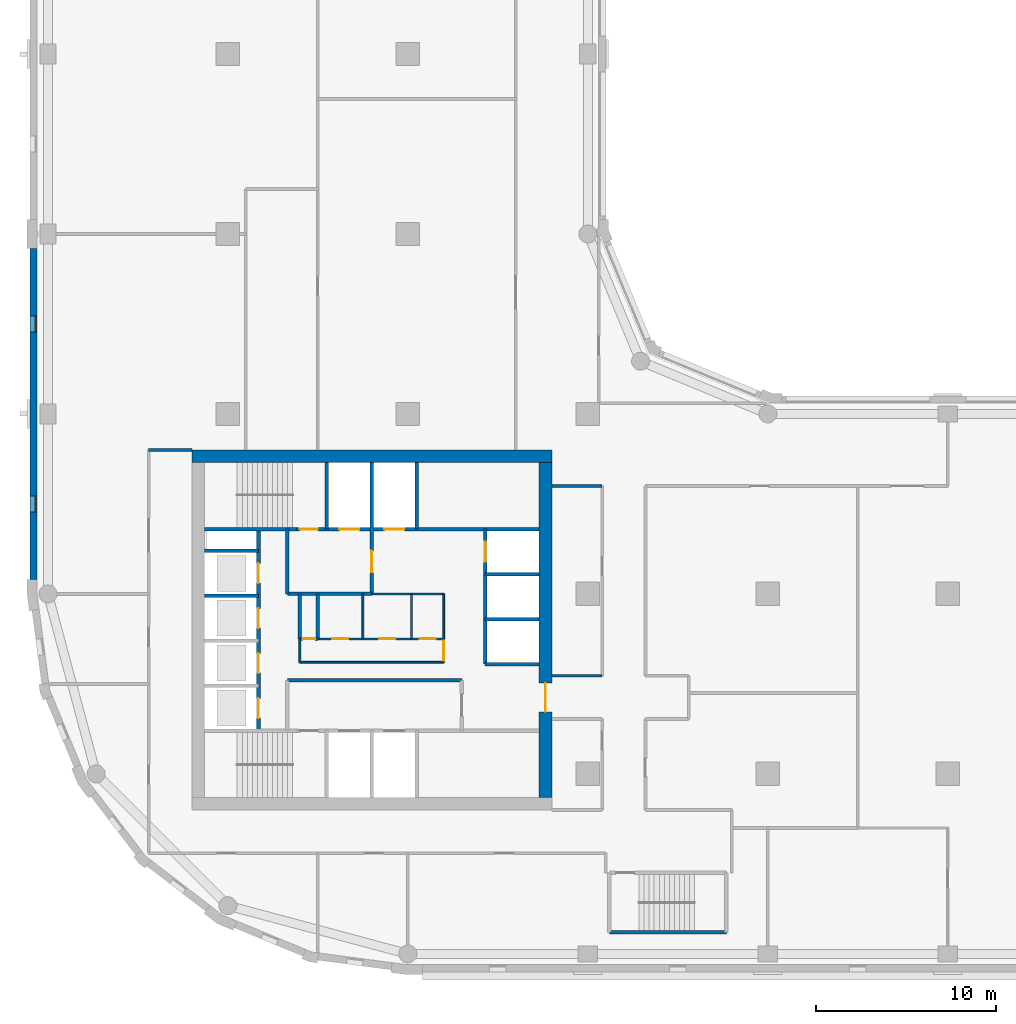
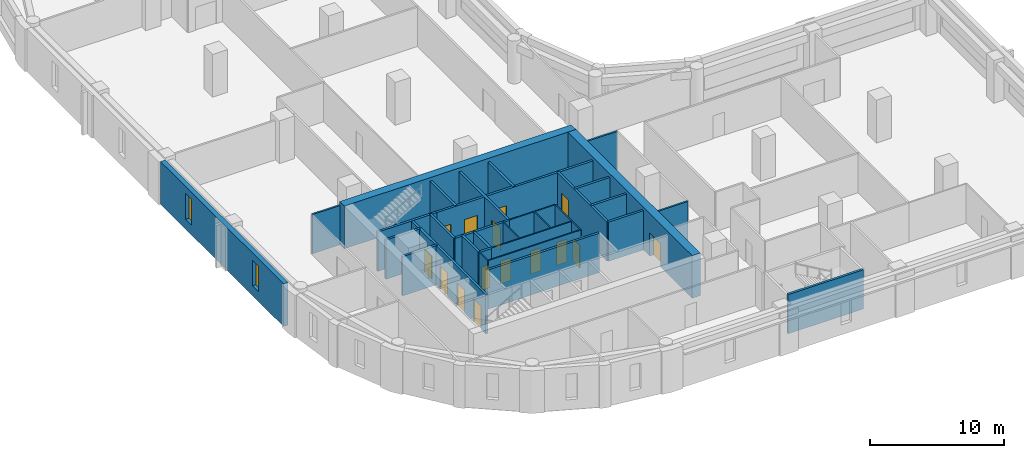
# One storey, part 3 of 9: 32 walls, 15 doors, 2 windows, 17 openings.
"""IFC4 building model written with IfcOpenShell, lengths in metres."""

from ifc_helpers import new_model, si_unit, direction, frame, frame_2d, origin, place, context, subcontext, project, spatial, rectangle, extrude, material, layer, layer_set, type_object, element, fill, save


model = new_model("IFC4")

# Units and contexts
model_context = context("Model", 3, precision=1e-05, world=origin(), true_north=direction((0.0, 1.0)))
body_context = subcontext(model_context, "Body", "Model", "MODEL_VIEW")
ifc_project = project(units=[si_unit("LENGTHUNIT", "METRE"), si_unit("AREAUNIT", "SQUARE_METRE"), si_unit("VOLUMEUNIT", "CUBIC_METRE"), si_unit("PLANEANGLEUNIT", "RADIAN"), si_unit("MASSUNIT", "GRAM", prefix="KILO")], contexts=[model_context])

# Site, building, storey
site_placement = place(None, origin())
site = spatial("IfcSite", under=ifc_project, at=site_placement, CompositionType="ELEMENT")
building_placement = place(site_placement, origin())
building = spatial("IfcBuilding", under=site, at=building_placement, Name="Qaws Garden Tower", CompositionType="ELEMENT")
storey_placement = place(building_placement, frame((0.0, 0.0, 139.5)))
storey = spatial("IfcBuildingStorey", under=building, at=storey_placement, Name="L33", CompositionType="ELEMENT", Elevation=139.5)

# Wall, openings, windows
ifc_material_1 = material(Name="Clay facing brick masonry", Category="masonry")
ifc_layer_1 = layer(ifc_material_1, 0.39990234375)
ifc_layer_set_1 = layer_set([ifc_layer_1], Name="Clay facing brick masonry")
wall_type_1 = type_object("IfcWallType", Name="Brick infill wall 400", PredefinedType="SOLIDWALL", material=ifc_layer_set_1)
wall_1_placement = place(storey_placement, frame((-0.800048828125, 39.199951171875, 0.0), z_axis=(0.0, 0.0, 1.0), x_axis=(0.0, -1.0, 0.0)))
wall_1 = element("IfcWall", 1, at=wall_1_placement, inside=storey, type_object=wall_type_1, Name="E-L33-infill-23", PredefinedType="SOLIDWALL", context=body_context, shape_type="SweptSolid", body=[
    extrude(rectangle(XDim=18.39990234375, YDim=0.39990234375, at=frame_2d((9.199951171875, 0.0))), origin(), (0.0, 0.0, 1.0), 3.89990234375),
])
opening_1_placement = place(wall_1_placement, frame((3.75, 0.0, 0.89990234375)))
opening_1 = element("IfcOpeningElement", 2, at=opening_1_placement, cuts=wall_1, Name="Opening W09", PredefinedType="OPENING", context=body_context, shape_type="SweptSolid", body=[
    extrude(rectangle(XDim=0.89990234375, YDim=2.35009765625, at=frame_2d((0.449951171875, 1.175048828125))), frame((0.0, 0.2099609375, 0.0), z_axis=(0.0, -1.0, 0.0), x_axis=(1.0, 0.0, 0.0)), (0.0, 0.0, 1.0), 0.419921875),
])
opening_2_placement = place(wall_1_placement, frame((13.75, 0.0, 0.89990234375)))
opening_2 = element("IfcOpeningElement", 3, at=opening_2_placement, cuts=wall_1, Name="Opening W09", PredefinedType="OPENING", context=body_context, shape_type="SweptSolid", body=[
    extrude(rectangle(XDim=0.89990234375, YDim=2.35009765625, at=frame_2d((0.449951171875, 1.175048828125))), frame((0.0, 0.2099609375, 0.0), z_axis=(0.0, -1.0, 0.0), x_axis=(1.0, 0.0, 0.0)), (0.0, 0.0, 1.0), 0.419921875),
])
ifc_material_2 = material(Name="Aluminium framed window, clear glazing", Category="aluminium")
window_type = type_object("IfcWindowType", Name="Slit window 900 x 2350", PartitioningType="SINGLE_PANEL", PredefinedType="WINDOW", material=ifc_material_2)
window_1_placement = place(opening_1_placement, origin())
window_1 = element("IfcWindow", 4, at=window_1_placement, inside=storey, type_object=window_type, Name="E-L33-window-23-0", OverallHeight=2.35009765625, OverallWidth=0.89990234375, PartitioningType="SINGLE_PANEL", PredefinedType="WINDOW", context=body_context, shape_type="SweptSolid", body=[
    extrude(rectangle(XDim=0.89990234375, YDim=2.35009765625, at=frame_2d((0.449951171875, 1.175048828125))), frame((0.0, 0.159912109375, 0.0), z_axis=(0.0, -1.0, 0.0), x_axis=(1.0, 0.0, 0.0)), (0.0, 0.0, 1.0), 0.06005859375),
])
fill(opening_1, window_1)
window_2_placement = place(opening_2_placement, origin())
window_2 = element("IfcWindow", 5, at=window_2_placement, inside=storey, type_object=window_type, Name="E-L33-window-24-0", OverallHeight=2.35009765625, OverallWidth=0.89990234375, PartitioningType="SINGLE_PANEL", PredefinedType="WINDOW", context=body_context, shape_type="SweptSolid", body=[
    extrude(rectangle(XDim=0.89990234375, YDim=2.35009765625, at=frame_2d((0.449951171875, 1.175048828125))), frame((0.0, 0.159912109375, 0.0), z_axis=(0.0, -1.0, 0.0), x_axis=(1.0, 0.0, 0.0)), (0.0, 0.0, 1.0), 0.06005859375),
])
fill(opening_2, window_2)

# Wall
ifc_material_3 = material(Name="Plasterboard")
ifc_layer_2 = layer(ifc_material_3, 0.10009765625)
ifc_layer_set_2 = layer_set([ifc_layer_2], Name="Plasterboard")
wall_type_2 = type_object("IfcWallType", Name="Core partition 100", PredefinedType="PARTITIONING", material=ifc_layer_set_2)
wall_2_placement = place(storey_placement, frame((14.0, 16.199951171875, 0.0), z_axis=(0.0, 0.0, 1.0), x_axis=(1.0, 0.0, 0.0)))
element("IfcWall", 6, at=wall_2_placement, inside=storey, type_object=wall_type_2, Name="Core partition", PredefinedType="PARTITIONING", context=body_context, shape_type="SweptSolid", body=[
    extrude(rectangle(XDim=8.0, YDim=0.10009765625, at=frame_2d((4.0, 0.0))), origin(), (0.0, 0.0, 1.0), 3.580078125),
])

# Wall, openings, doors
wall_3_placement = place(storey_placement, frame((15.0, 17.5, 0.0), z_axis=(0.0, 0.0, 1.0), x_axis=(1.0, 0.0, 0.0)))
wall_3 = element("IfcWall", 7, at=wall_3_placement, inside=storey, type_object=wall_type_2, Name="Core partition", PredefinedType="PARTITIONING", context=body_context, shape_type="SweptSolid", body=[
    extrude(rectangle(XDim=7.0, YDim=0.10009765625, at=frame_2d((3.5, 0.0))), origin(), (0.0, 0.0, 1.0), 3.580078125),
])
opening_3_placement = place(wall_3_placement, frame((0.800048828125, 0.0, 0.0)))
opening_3 = element("IfcOpeningElement", 8, at=opening_3_placement, cuts=wall_3, Name="Opening WD19", PredefinedType="OPENING", context=body_context, shape_type="SweptSolid", body=[
    extrude(rectangle(XDim=0.89990234375, YDim=2.10009765625, at=frame_2d((0.449951171875, 1.050048828125))), frame((0.0, 0.06005859375, 0.0), z_axis=(0.0, -1.0, 0.0), x_axis=(1.0, 0.0, 0.0)), (0.0, 0.0, 1.0), 0.1201171875),
])
opening_4_placement = place(wall_3_placement, frame((3.39990234375, 0.0, 0.0)))
opening_4 = element("IfcOpeningElement", 9, at=opening_4_placement, cuts=wall_3, Name="Opening WD20", PredefinedType="OPENING", context=body_context, shape_type="SweptSolid", body=[
    extrude(rectangle(XDim=0.89990234375, YDim=2.10009765625, at=frame_2d((0.449951171875, 1.050048828125))), frame((0.0, 0.06005859375, 0.0), z_axis=(0.0, -1.0, 0.0), x_axis=(1.0, 0.0, 0.0)), (0.0, 0.0, 1.0), 0.1201171875),
])
opening_5_placement = place(wall_3_placement, frame((5.64990234375, 0.0, 0.0)))
opening_5 = element("IfcOpeningElement", 10, at=opening_5_placement, cuts=wall_3, Name="Opening WD21", PredefinedType="OPENING", context=body_context, shape_type="SweptSolid", body=[
    extrude(rectangle(XDim=0.89990234375, YDim=2.10009765625, at=frame_2d((0.449951171875, 1.050048828125))), frame((0.0, 0.06005859375, 0.0), z_axis=(0.0, -1.0, 0.0), x_axis=(1.0, 0.0, 0.0)), (0.0, 0.0, 1.0), 0.1201171875),
])
ifc_material_4 = material(Name="Timber", Category="wood")
door_type_1 = type_object("IfcDoorType", Name="WC door 900x2100", OperationType="SINGLE_SWING_LEFT", PredefinedType="DOOR", material=ifc_material_4)
door_1_placement = place(opening_3_placement, origin())
door_1 = element("IfcDoor", 11, at=door_1_placement, inside=storey, type_object=door_type_1, Name="Men's WC door", OperationType="SINGLE_SWING_RIGHT", OverallHeight=2.10009765625, OverallWidth=0.89990234375, PredefinedType="DOOR", context=body_context, shape_type="SweptSolid", body=[
    extrude(rectangle(XDim=0.89990234375, YDim=2.10009765625, at=frame_2d((0.449951171875, 1.050048828125))), frame((0.0, 0.02490234375, 0.0), z_axis=(0.0, -1.0, 0.0), x_axis=(1.0, 0.0, 0.0)), (0.0, 0.0, 1.0), 0.050048828125),
])
fill(opening_3, door_1)
door_2_placement = place(opening_4_placement, origin())
door_2 = element("IfcDoor", 12, at=door_2_placement, inside=storey, type_object=door_type_1, Name="Women's WC door", OperationType="SINGLE_SWING_RIGHT", OverallHeight=2.10009765625, OverallWidth=0.89990234375, PredefinedType="DOOR", context=body_context, shape_type="SweptSolid", body=[
    extrude(rectangle(XDim=0.89990234375, YDim=2.10009765625, at=frame_2d((0.449951171875, 1.050048828125))), frame((0.0, 0.02490234375, 0.0), z_axis=(0.0, -1.0, 0.0), x_axis=(1.0, 0.0, 0.0)), (0.0, 0.0, 1.0), 0.050048828125),
])
fill(opening_4, door_2)
door_3_placement = place(opening_5_placement, origin())
door_3 = element("IfcDoor", 13, at=door_3_placement, inside=storey, type_object=door_type_1, Name="Accessible WC door", OperationType="SINGLE_SWING_RIGHT", OverallHeight=2.10009765625, OverallWidth=0.89990234375, PredefinedType="DOOR", context=body_context, shape_type="SweptSolid", body=[
    extrude(rectangle(XDim=0.89990234375, YDim=2.10009765625, at=frame_2d((0.449951171875, 1.050048828125))), frame((0.0, 0.02490234375, 0.0), z_axis=(0.0, -1.0, 0.0), x_axis=(1.0, 0.0, 0.0)), (0.0, 0.0, 1.0), 0.050048828125),
])
fill(opening_5, door_3)

# Walls
wall_4_placement = place(storey_placement, frame((18.0, 20.0, 0.0), z_axis=(0.0, 0.0, 1.0), x_axis=(1.0, 0.0, 0.0)))
element("IfcWall", 14, at=wall_4_placement, inside=storey, type_object=wall_type_2, Name="Core partition", PredefinedType="PARTITIONING", context=body_context, shape_type="SweptSolid", body=[
    extrude(rectangle(XDim=4.0, YDim=0.10009765625, at=frame_2d((2.0, 0.0))), origin(), (0.0, 0.0, 1.0), 3.580078125),
])
wall_5_placement = place(storey_placement, frame((14.0, 16.199951171875, 0.0), z_axis=(0.0, 0.0, 1.0), x_axis=(0.0, 1.0, 0.0)))
element("IfcWall", 15, at=wall_5_placement, inside=storey, type_object=wall_type_2, Name="Core partition", PredefinedType="PARTITIONING", context=body_context, shape_type="SweptSolid", body=[
    extrude(rectangle(XDim=1.300048828125, YDim=0.10009765625, at=frame_2d((0.64990234375, 0.0))), origin(), (0.0, 0.0, 1.0), 3.580078125),
])
for number, where, z_axis, x_axis, name in (
    (16, (17.5, 17.5, 0.0), (0.0, 0.0, 1.0), (0.0, 1.0, 0.0), "Core partition"),
    (17, (20.199951171875, 17.5, 0.0), (0.0, 0.0, 1.0), (0.0, 1.0, 0.0), "Core partition"),
):
    element("IfcWall", number, at=place(storey_placement, frame(where, z_axis=z_axis, x_axis=x_axis)), inside=storey, type_object=wall_type_2, Name=name, PredefinedType="PARTITIONING", context=body_context, shape_type="SweptSolid", body=[
        extrude(rectangle(XDim=2.5, YDim=0.10009765625, at=frame_2d((1.25, 0.0))), origin(), (0.0, 0.0, 1.0), 3.580078125),
    ])

# Wall, opening, door
wall_6_placement = place(storey_placement, frame((22.0, 16.199951171875, 0.0), z_axis=(0.0, 0.0, 1.0), x_axis=(0.0, 1.0, 0.0)))
wall_6 = element("IfcWall", 18, at=wall_6_placement, inside=storey, type_object=wall_type_2, Name="Core partition", PredefinedType="PARTITIONING", context=body_context, shape_type="SweptSolid", body=[
    extrude(rectangle(XDim=3.800048828125, YDim=0.10009765625, at=frame_2d((1.89990234375, 0.0))), origin(), (0.0, 0.0, 1.0), 3.580078125),
])
opening_6_placement = place(wall_6_placement, frame((0.10009765625, 0.0, 0.0)))
opening_6 = element("IfcOpeningElement", 19, at=opening_6_placement, cuts=wall_6, Name="Opening WL17", PredefinedType="OPENING", context=body_context, shape_type="SweptSolid", body=[
    extrude(rectangle(XDim=1.10009765625, YDim=2.10009765625, at=frame_2d((0.550048828125, 1.050048828125))), frame((0.0, 0.06005859375, 0.0), z_axis=(0.0, -1.0, 0.0), x_axis=(1.0, 0.0, 0.0)), (0.0, 0.0, 1.0), 0.1201171875),
])
ifc_material_5 = material(Name="Timber", Category="wood")
door_type_2 = type_object("IfcDoorType", Name="WC lobby door 1100x2100", OperationType="SINGLE_SWING_LEFT", PredefinedType="DOOR", material=ifc_material_5)
door_4_placement = place(opening_6_placement, origin())
door_4 = element("IfcDoor", 20, at=door_4_placement, inside=storey, type_object=door_type_2, Name="WC lobby door", OperationType="SINGLE_SWING_RIGHT", OverallHeight=2.10009765625, OverallWidth=1.10009765625, PredefinedType="DOOR", context=body_context, shape_type="SweptSolid", body=[
    extrude(rectangle(XDim=1.10009765625, YDim=2.10009765625, at=frame_2d((0.550048828125, 1.050048828125))), frame((0.0, 0.02490234375, 0.0), z_axis=(0.0, -1.0, 0.0), x_axis=(1.0, 0.0, 0.0)), (0.0, 0.0, 1.0), 0.050048828125),
])
fill(opening_6, door_4)

# Walls
ifc_material_6 = material(Name="Concrete C70", Category="concrete")
ifc_layer_3 = layer(ifc_material_6, 0.199951171875)
ifc_layer_set_3 = layer_set([ifc_layer_3], Name="Concrete C70")
wall_type_3 = type_object("IfcWallType", Name="Core shaft wall 200 C70", PredefinedType="SHEAR", material=ifc_layer_set_3)
wall_7_placement = place(storey_placement, frame((31.199951171875, 1.199951171875, 0.0), z_axis=(0.0, 0.0, 1.0), x_axis=(1.0, 0.0, 0.0)))
element("IfcWall", 21, at=wall_7_placement, inside=storey, type_object=wall_type_3, Name="Shaft wall", PredefinedType="SHEAR", context=body_context, shape_type="SweptSolid", body=[
    extrude(rectangle(XDim=6.5, YDim=0.199951171875, at=frame_2d((3.25, 0.0))), origin(), (0.0, 0.0, 1.0), 3.580078125),
])
wall_8_placement = place(storey_placement, frame((13.300048828125, 15.199951171875, 0.0), z_axis=(0.0, 0.0, 1.0), x_axis=(1.0, 0.0, 0.0)))
element("IfcWall", 22, at=wall_8_placement, inside=storey, type_object=wall_type_3, Name="Shaft wall", PredefinedType="SHEAR", context=body_context, shape_type="SweptSolid", body=[
    extrude(rectangle(XDim=9.699951171875, YDim=0.199951171875, at=frame_2d((4.85009765625, 0.0))), origin(), (0.0, 0.0, 1.0), 3.580078125),
])
wall_9_placement = place(storey_placement, frame((24.300048828125, 16.10009765625, 0.0), z_axis=(0.0, 0.0, 1.0), x_axis=(1.0, 0.0, 0.0)))
element("IfcWall", 23, at=wall_9_placement, inside=storey, type_object=wall_type_3, Name="Shaft wall", PredefinedType="SHEAR", context=body_context, shape_type="SweptSolid", body=[
    extrude(rectangle(XDim=3.0, YDim=0.199951171875, at=frame_2d((1.5, 0.0))), origin(), (0.0, 0.0, 1.0), 3.580078125),
])

# Wall, opening, door
wall_10_placement = place(storey_placement, frame((14.0, 17.5, 0.0), z_axis=(0.0, 0.0, 1.0), x_axis=(1.0, 0.0, 0.0)))
wall_10 = element("IfcWall", 24, at=wall_10_placement, inside=storey, type_object=wall_type_3, Name="Shaft wall", PredefinedType="SHEAR", context=body_context, shape_type="SweptSolid", body=[
    extrude(rectangle(XDim=1.0, YDim=0.199951171875, at=frame_2d((0.5, 0.0))), origin(), (0.0, 0.0, 1.0), 3.580078125),
])
opening_7_placement = place(wall_10_placement, frame((0.14990234375, 0.0, 0.0)))
opening_7 = element("IfcOpeningElement", 25, at=opening_7_placement, cuts=wall_10, Name="Opening XD18", PredefinedType="OPENING", context=body_context, shape_type="SweptSolid", body=[
    extrude(rectangle(XDim=0.699951171875, YDim=2.10009765625, at=frame_2d((0.35009765625, 1.050048828125))), frame((0.0, 0.10986328125, 0.0), z_axis=(0.0, -1.0, 0.0), x_axis=(1.0, 0.0, 0.0)), (0.0, 0.0, 1.0), 0.219970703125),
])
ifc_material_7 = material(Name="Timber", Category="wood")
door_type_3 = type_object("IfcDoorType", Name="Store door 700x2100", OperationType="SINGLE_SWING_LEFT", PredefinedType="DOOR", material=ifc_material_7)
door_5_placement = place(opening_7_placement, origin())
door_5 = element("IfcDoor", 26, at=door_5_placement, inside=storey, type_object=door_type_3, Name="Telecom riser door", OperationType="SINGLE_SWING_RIGHT", OverallHeight=2.10009765625, OverallWidth=0.699951171875, PredefinedType="DOOR", context=body_context, shape_type="SweptSolid", body=[
    extrude(rectangle(XDim=0.699951171875, YDim=2.10009765625, at=frame_2d((0.35009765625, 1.050048828125))), frame((0.0, 0.02490234375, 0.0), z_axis=(0.0, -1.0, 0.0), x_axis=(1.0, 0.0, 0.0)), (0.0, 0.0, 1.0), 0.050048828125),
])
fill(opening_7, door_5)

# Walls
for number, where, z_axis, x_axis, name in (
    (27, (24.300048828125, 18.60009765625, 0.0), (0.0, 0.0, 1.0), (1.0, 0.0, 0.0), "Shaft wall"),
    (28, (8.699951171875, 19.89990234375, 0.0), (0.0, 0.0, 1.0), (1.0, 0.0, 0.0), "Shaft wall"),
):
    element("IfcWall", number, at=place(storey_placement, frame(where, z_axis=z_axis, x_axis=x_axis)), inside=storey, type_object=wall_type_3, Name=name, PredefinedType="SHEAR", context=body_context, shape_type="SweptSolid", body=[
        extrude(rectangle(XDim=3.0, YDim=0.199951171875, at=frame_2d((1.5, 0.0))), origin(), (0.0, 0.0, 1.0), 3.580078125),
    ])
wall_11_placement = place(storey_placement, frame((13.300048828125, 20.0, 0.0), z_axis=(0.0, 0.0, 1.0), x_axis=(1.0, 0.0, 0.0)))
element("IfcWall", 29, at=wall_11_placement, inside=storey, type_object=wall_type_3, Name="Shaft wall", PredefinedType="SHEAR", context=body_context, shape_type="SweptSolid", body=[
    extrude(rectangle(XDim=4.699951171875, YDim=0.199951171875, at=frame_2d((2.35009765625, 0.0))), origin(), (0.0, 0.0, 1.0), 3.580078125),
])
for number, where, z_axis, x_axis, name in (
    (30, (24.300048828125, 21.10009765625, 0.0), (0.0, 0.0, 1.0), (1.0, 0.0, 0.0), "Shaft wall"),
    (31, (8.699951171875, 22.39990234375, 0.0), (0.0, 0.0, 1.0), (1.0, 0.0, 0.0), "Shaft wall"),
):
    element("IfcWall", number, at=place(storey_placement, frame(where, z_axis=z_axis, x_axis=x_axis)), inside=storey, type_object=wall_type_3, Name=name, PredefinedType="SHEAR", context=body_context, shape_type="SweptSolid", body=[
        extrude(rectangle(XDim=3.0, YDim=0.199951171875, at=frame_2d((1.5, 0.0))), origin(), (0.0, 0.0, 1.0), 3.580078125),
    ])
wall_12_placement = place(storey_placement, frame((8.699951171875, 23.60009765625, 0.0), z_axis=(0.0, 0.0, 1.0), x_axis=(1.0, 0.0, 0.0)))
element("IfcWall", 32, at=wall_12_placement, inside=storey, type_object=wall_type_3, Name="Shaft wall", PredefinedType="SHEAR", context=body_context, shape_type="SweptSolid", body=[
    extrude(rectangle(XDim=5.10009765625, YDim=0.199951171875, at=frame_2d((2.550048828125, 0.0))), origin(), (0.0, 0.0, 1.0), 3.580078125),
])

# Wall, openings, doors
wall_13_placement = place(storey_placement, frame((13.800048828125, 23.60009765625, 0.0), z_axis=(0.0, 0.0, 1.0), x_axis=(1.0, 0.0, 0.0)))
wall_13 = element("IfcWall", 33, at=wall_13_placement, inside=storey, type_object=wall_type_3, Name="Shaft wall", PredefinedType="SHEAR", context=body_context, shape_type="SweptSolid", body=[
    extrude(rectangle(XDim=13.5, YDim=0.199951171875, at=frame_2d((6.75, 0.0))), origin(), (0.0, 0.0, 1.0), 3.580078125),
])
opening_8_placement = place(wall_13_placement, frame((2.39990234375, 0.0, 0.0)))
opening_8 = element("IfcOpeningElement", 34, at=opening_8_placement, cuts=wall_13, Name="Opening LD08", PredefinedType="OPENING", context=body_context, shape_type="SweptSolid", body=[
    extrude(rectangle(XDim=1.10009765625, YDim=2.10009765625, at=frame_2d((0.550048828125, 1.050048828125))), frame((0.0, 0.10986328125, 0.0), z_axis=(0.0, -1.0, 0.0), x_axis=(1.0, 0.0, 0.0)), (0.0, 0.0, 1.0), 0.219970703125),
])
opening_9_placement = place(wall_13_placement, frame((4.89990234375, 0.0, 0.0)))
opening_9 = element("IfcOpeningElement", 35, at=opening_9_placement, cuts=wall_13, Name="Opening LD09", PredefinedType="OPENING", context=body_context, shape_type="SweptSolid", body=[
    extrude(rectangle(XDim=1.10009765625, YDim=2.10009765625, at=frame_2d((0.550048828125, 1.050048828125))), frame((0.0, 0.10986328125, 0.0), z_axis=(0.0, -1.0, 0.0), x_axis=(1.0, 0.0, 0.0)), (0.0, 0.0, 1.0), 0.219970703125),
])
opening_10_placement = place(wall_13_placement, frame((0.199951171875, 0.0, 0.0)))
opening_10 = element("IfcOpeningElement", 36, at=opening_10_placement, cuts=wall_13, Name="Opening SD11", PredefinedType="OPENING", context=body_context, shape_type="SweptSolid", body=[
    extrude(rectangle(XDim=1.0, YDim=2.10009765625, at=frame_2d((0.5, 1.050048828125))), frame((0.0, 0.10986328125, 0.0), z_axis=(0.0, -1.0, 0.0), x_axis=(1.0, 0.0, 0.0)), (0.0, 0.0, 1.0), 0.219970703125),
])
ifc_material_8 = material(Name="Steel S235", Category="steel")
door_type_4 = type_object("IfcDoorType", Name="Landing door 1100x2100", OperationType="DOUBLE_DOOR_SLIDING", PredefinedType="DOOR", material=ifc_material_8)
door_6_placement = place(opening_8_placement, origin())
door_6 = element("IfcDoor", 37, at=door_6_placement, inside=storey, type_object=door_type_4, Name="Lift FF3 landing door", OperationType="DOUBLE_DOOR_SLIDING", OverallHeight=2.10009765625, OverallWidth=1.10009765625, PredefinedType="DOOR", context=body_context, shape_type="SweptSolid", body=[
    extrude(rectangle(XDim=1.10009765625, YDim=2.10009765625, at=frame_2d((0.550048828125, 1.050048828125))), frame((0.0, 0.02490234375, 0.0), z_axis=(0.0, -1.0, 0.0), x_axis=(1.0, 0.0, 0.0)), (0.0, 0.0, 1.0), 0.050048828125),
])
fill(opening_8, door_6)
door_7_placement = place(opening_9_placement, origin())
door_7 = element("IfcDoor", 38, at=door_7_placement, inside=storey, type_object=door_type_4, Name="Lift SV2 landing door", OperationType="DOUBLE_DOOR_SLIDING", OverallHeight=2.10009765625, OverallWidth=1.10009765625, PredefinedType="DOOR", context=body_context, shape_type="SweptSolid", body=[
    extrude(rectangle(XDim=1.10009765625, YDim=2.10009765625, at=frame_2d((0.550048828125, 1.050048828125))), frame((0.0, 0.02490234375, 0.0), z_axis=(0.0, -1.0, 0.0), x_axis=(1.0, 0.0, 0.0)), (0.0, 0.0, 1.0), 0.050048828125),
])
fill(opening_9, door_7)
ifc_material_9 = material(Name="Steel S235", Category="steel")
door_type_5 = type_object("IfcDoorType", Name="Stair door 1000x2100", OperationType="SINGLE_SWING_RIGHT", PredefinedType="DOOR", material=ifc_material_9)
door_8_placement = place(opening_10_placement, origin())
door_8 = element("IfcDoor", 39, at=door_8_placement, inside=storey, type_object=door_type_5, Name="Stair 4 door", OperationType="SINGLE_SWING_RIGHT", OverallHeight=2.10009765625, OverallWidth=1.0, PredefinedType="DOOR", context=body_context, shape_type="SweptSolid", body=[
    extrude(rectangle(XDim=1.0, YDim=2.10009765625, at=frame_2d((0.5, 1.050048828125))), frame((0.0, 0.02490234375, 0.0), z_axis=(0.0, -1.0, 0.0), x_axis=(1.0, 0.0, 0.0)), (0.0, 0.0, 1.0), 0.050048828125),
])
fill(opening_10, door_8)

wall_14_placement = place(storey_placement, frame((11.699951171875, 12.39990234375, 0.0), z_axis=(0.0, 0.0, 1.0), x_axis=(0.0, 1.0, 0.0)))
wall_14 = element("IfcWall", 40, at=wall_14_placement, inside=storey, type_object=wall_type_3, Name="Shaft wall", PredefinedType="SHEAR", context=body_context, shape_type="SweptSolid", body=[
    extrude(rectangle(XDim=11.2001953125, YDim=0.199951171875, at=frame_2d((5.60009765625, 0.0))), origin(), (0.0, 0.0, 1.0), 3.580078125),
])
opening_11_placement = place(wall_14_placement, frame((0.699951171875, 0.0, 0.0)))
opening_11 = element("IfcOpeningElement", 41, at=opening_11_placement, cuts=wall_14, Name="Opening LD01", PredefinedType="OPENING", context=body_context, shape_type="SweptSolid", body=[
    extrude(rectangle(XDim=1.10009765625, YDim=2.10009765625, at=frame_2d((0.550048828125, 1.050048828125))), frame((0.0, 0.10986328125, 0.0), z_axis=(0.0, -1.0, 0.0), x_axis=(1.0, 0.0, 0.0)), (0.0, 0.0, 1.0), 0.219970703125),
])
opening_12_placement = place(wall_14_placement, frame((3.199951171875, 0.0, 0.0)))
opening_12 = element("IfcOpeningElement", 42, at=opening_12_placement, cuts=wall_14, Name="Opening LD02", PredefinedType="OPENING", context=body_context, shape_type="SweptSolid", body=[
    extrude(rectangle(XDim=1.10009765625, YDim=2.10009765625, at=frame_2d((0.550048828125, 1.050048828125))), frame((0.0, 0.10986328125, 0.0), z_axis=(0.0, -1.0, 0.0), x_axis=(1.0, 0.0, 0.0)), (0.0, 0.0, 1.0), 0.219970703125),
])
opening_13_placement = place(wall_14_placement, frame((5.699951171875, 0.0, 0.0)))
opening_13 = element("IfcOpeningElement", 43, at=opening_13_placement, cuts=wall_14, Name="Opening LD03", PredefinedType="OPENING", context=body_context, shape_type="SweptSolid", body=[
    extrude(rectangle(XDim=1.10009765625, YDim=2.10009765625, at=frame_2d((0.550048828125, 1.050048828125))), frame((0.0, 0.10986328125, 0.0), z_axis=(0.0, -1.0, 0.0), x_axis=(1.0, 0.0, 0.0)), (0.0, 0.0, 1.0), 0.219970703125),
])
opening_14_placement = place(wall_14_placement, frame((8.199951171875, 0.0, 0.0)))
opening_14 = element("IfcOpeningElement", 44, at=opening_14_placement, cuts=wall_14, Name="Opening LD04", PredefinedType="OPENING", context=body_context, shape_type="SweptSolid", body=[
    extrude(rectangle(XDim=1.10009765625, YDim=2.10009765625, at=frame_2d((0.550048828125, 1.050048828125))), frame((0.0, 0.10986328125, 0.0), z_axis=(0.0, -1.0, 0.0), x_axis=(1.0, 0.0, 0.0)), (0.0, 0.0, 1.0), 0.219970703125),
])
door_9_placement = place(opening_11_placement, origin())
door_9 = element("IfcDoor", 45, at=door_9_placement, inside=storey, type_object=door_type_4, Name="Lift W1 landing door", OperationType="DOUBLE_DOOR_SLIDING", OverallHeight=2.10009765625, OverallWidth=1.10009765625, PredefinedType="DOOR", context=body_context, shape_type="SweptSolid", body=[
    extrude(rectangle(XDim=1.10009765625, YDim=2.10009765625, at=frame_2d((0.550048828125, 1.050048828125))), frame((0.0, 0.02490234375, 0.0), z_axis=(0.0, -1.0, 0.0), x_axis=(1.0, 0.0, 0.0)), (0.0, 0.0, 1.0), 0.050048828125),
])
fill(opening_11, door_9)
door_10_placement = place(opening_12_placement, origin())
door_10 = element("IfcDoor", 46, at=door_10_placement, inside=storey, type_object=door_type_4, Name="Lift W2 landing door", OperationType="DOUBLE_DOOR_SLIDING", OverallHeight=2.10009765625, OverallWidth=1.10009765625, PredefinedType="DOOR", context=body_context, shape_type="SweptSolid", body=[
    extrude(rectangle(XDim=1.10009765625, YDim=2.10009765625, at=frame_2d((0.550048828125, 1.050048828125))), frame((0.0, 0.02490234375, 0.0), z_axis=(0.0, -1.0, 0.0), x_axis=(1.0, 0.0, 0.0)), (0.0, 0.0, 1.0), 0.050048828125),
])
fill(opening_12, door_10)
door_11_placement = place(opening_13_placement, origin())
door_11 = element("IfcDoor", 47, at=door_11_placement, inside=storey, type_object=door_type_4, Name="Lift W3 landing door", OperationType="DOUBLE_DOOR_SLIDING", OverallHeight=2.10009765625, OverallWidth=1.10009765625, PredefinedType="DOOR", context=body_context, shape_type="SweptSolid", body=[
    extrude(rectangle(XDim=1.10009765625, YDim=2.10009765625, at=frame_2d((0.550048828125, 1.050048828125))), frame((0.0, 0.02490234375, 0.0), z_axis=(0.0, -1.0, 0.0), x_axis=(1.0, 0.0, 0.0)), (0.0, 0.0, 1.0), 0.050048828125),
])
fill(opening_13, door_11)
door_12_placement = place(opening_14_placement, origin())
door_12 = element("IfcDoor", 48, at=door_12_placement, inside=storey, type_object=door_type_4, Name="Lift W4 landing door", OperationType="DOUBLE_DOOR_SLIDING", OverallHeight=2.10009765625, OverallWidth=1.10009765625, PredefinedType="DOOR", context=body_context, shape_type="SweptSolid", body=[
    extrude(rectangle(XDim=1.10009765625, YDim=2.10009765625, at=frame_2d((0.550048828125, 1.050048828125))), frame((0.0, 0.02490234375, 0.0), z_axis=(0.0, -1.0, 0.0), x_axis=(1.0, 0.0, 0.0)), (0.0, 0.0, 1.0), 0.050048828125),
])
fill(opening_14, door_12)

# Walls
wall_15_placement = place(storey_placement, frame((13.300048828125, 20.0, 0.0), z_axis=(0.0, 0.0, 1.0), x_axis=(0.0, 1.0, 0.0)))
element("IfcWall", 49, at=wall_15_placement, inside=storey, type_object=wall_type_3, Name="Shaft wall", PredefinedType="SHEAR", context=body_context, shape_type="SweptSolid", body=[
    extrude(rectangle(XDim=3.60009765625, YDim=0.199951171875, at=frame_2d((1.800048828125, 0.0))), origin(), (0.0, 0.0, 1.0), 3.580078125),
])
for number, where, z_axis, x_axis, name in (
    (50, (14.0, 17.5, 0.0), (0.0, 0.0, 1.0), (0.0, 1.0, 0.0), "Shaft wall"),
    (51, (15.0, 17.5, 0.0), (0.0, 0.0, 1.0), (0.0, 1.0, 0.0), "Shaft wall"),
):
    element("IfcWall", number, at=place(storey_placement, frame(where, z_axis=z_axis, x_axis=x_axis)), inside=storey, type_object=wall_type_3, Name=name, PredefinedType="SHEAR", context=body_context, shape_type="SweptSolid", body=[
        extrude(rectangle(XDim=2.5, YDim=0.199951171875, at=frame_2d((1.25, 0.0))), origin(), (0.0, 0.0, 1.0), 3.580078125),
    ])
wall_16_placement = place(storey_placement, frame((15.5, 23.60009765625, 0.0), z_axis=(0.0, 0.0, 1.0), x_axis=(0.0, 1.0, 0.0)))
element("IfcWall", 52, at=wall_16_placement, inside=storey, type_object=wall_type_3, Name="Shaft wall", PredefinedType="SHEAR", context=body_context, shape_type="SweptSolid", body=[
    extrude(rectangle(XDim=3.699951171875, YDim=0.199951171875, at=frame_2d((1.85009765625, 0.0))), origin(), (0.0, 0.0, 1.0), 3.580078125),
])

# Wall, opening, door
wall_17_placement = place(storey_placement, frame((18.0, 20.0, 0.0), z_axis=(0.0, 0.0, 1.0), x_axis=(0.0, 1.0, 0.0)))
wall_17 = element("IfcWall", 53, at=wall_17_placement, inside=storey, type_object=wall_type_3, Name="Shaft wall", PredefinedType="SHEAR", context=body_context, shape_type="SweptSolid", body=[
    extrude(rectangle(XDim=7.300048828125, YDim=0.199951171875, at=frame_2d((3.64990234375, 0.0))), origin(), (0.0, 0.0, 1.0), 3.580078125),
])
opening_15_placement = place(wall_17_placement, frame((1.199951171875, 0.0, 0.0)))
opening_15 = element("IfcOpeningElement", 54, at=opening_15_placement, cuts=wall_17, Name="Opening FD16", PredefinedType="OPENING", context=body_context, shape_type="SweptSolid", body=[
    extrude(rectangle(XDim=1.199951171875, YDim=2.10009765625, at=frame_2d((0.60009765625, 1.050048828125))), frame((0.0, 0.10986328125, 0.0), z_axis=(0.0, -1.0, 0.0), x_axis=(1.0, 0.0, 0.0)), (0.0, 0.0, 1.0), 0.219970703125),
])
ifc_material_10 = material(Name="Steel S235", Category="steel")
door_type_6 = type_object("IfcDoorType", Name="Lobby door 1200x2100", OperationType="DOUBLE_DOOR_SINGLE_SWING", PredefinedType="DOOR", material=ifc_material_10)
door_13_placement = place(opening_15_placement, origin())
door_13 = element("IfcDoor", 55, at=door_13_placement, inside=storey, type_object=door_type_6, Name="Fire-fighting lobby door", OperationType="DOUBLE_DOOR_SINGLE_SWING", OverallHeight=2.10009765625, OverallWidth=1.199951171875, PredefinedType="DOOR", context=body_context, shape_type="SweptSolid", body=[
    extrude(rectangle(XDim=1.199951171875, YDim=2.10009765625, at=frame_2d((0.60009765625, 1.050048828125))), frame((0.0, 0.02490234375, 0.0), z_axis=(0.0, -1.0, 0.0), x_axis=(1.0, 0.0, 0.0)), (0.0, 0.0, 1.0), 0.050048828125),
])
fill(opening_15, door_13)

# Wall
wall_18_placement = place(storey_placement, frame((20.5, 23.60009765625, 0.0), z_axis=(0.0, 0.0, 1.0), x_axis=(0.0, 1.0, 0.0)))
element("IfcWall", 56, at=wall_18_placement, inside=storey, type_object=wall_type_3, Name="Shaft wall", PredefinedType="SHEAR", context=body_context, shape_type="SweptSolid", body=[
    extrude(rectangle(XDim=3.699951171875, YDim=0.199951171875, at=frame_2d((1.85009765625, 0.0))), origin(), (0.0, 0.0, 1.0), 3.580078125),
])

# Wall, opening, door
wall_19_placement = place(storey_placement, frame((24.300048828125, 16.10009765625, 0.0), z_axis=(0.0, 0.0, 1.0), x_axis=(0.0, 1.0, 0.0)))
wall_19 = element("IfcWall", 57, at=wall_19_placement, inside=storey, type_object=wall_type_3, Name="Shaft wall", PredefinedType="SHEAR", context=body_context, shape_type="SweptSolid", body=[
    extrude(rectangle(XDim=7.5, YDim=0.199951171875, at=frame_2d((3.75, 0.0))), origin(), (0.0, 0.0, 1.0), 3.580078125),
])
opening_16_placement = place(wall_19_placement, frame((5.699951171875, 0.0, 0.0)))
opening_16 = element("IfcOpeningElement", 58, at=opening_16_placement, cuts=wall_19, Name="Opening LD05", PredefinedType="OPENING", context=body_context, shape_type="SweptSolid", body=[
    extrude(rectangle(XDim=1.10009765625, YDim=2.10009765625, at=frame_2d((0.550048828125, 1.050048828125))), frame((0.0, 0.10986328125, 0.0), z_axis=(0.0, -1.0, 0.0), x_axis=(1.0, 0.0, 0.0)), (0.0, 0.0, 1.0), 0.219970703125),
])
door_14_placement = place(opening_16_placement, origin())
door_14 = element("IfcDoor", 59, at=door_14_placement, inside=storey, type_object=door_type_4, Name="Lift E3 landing door", OperationType="DOUBLE_DOOR_SLIDING", OverallHeight=2.10009765625, OverallWidth=1.10009765625, PredefinedType="DOOR", context=body_context, shape_type="SweptSolid", body=[
    extrude(rectangle(XDim=1.10009765625, YDim=2.10009765625, at=frame_2d((0.550048828125, 1.050048828125))), frame((0.0, 0.02490234375, 0.0), z_axis=(0.0, -1.0, 0.0), x_axis=(1.0, 0.0, 0.0)), (0.0, 0.0, 1.0), 0.050048828125),
])
fill(opening_16, door_14)

ifc_material_11 = material(Name="Concrete C70", Category="concrete")
ifc_layer_4 = layer(ifc_material_11, 0.699951171875)
ifc_layer_set_4 = layer_set([ifc_layer_4], Name="Concrete C70")
wall_type_4 = type_object("IfcWallType", Name="Core wall 700 C70", PredefinedType="SHEAR", material=ifc_layer_set_4)
wall_20_placement = place(storey_placement, frame((27.64990234375, 8.699951171875, 0.0), z_axis=(0.0, 0.0, 1.0), x_axis=(0.0, 1.0, 0.0)))
wall_20 = element("IfcWall", 60, at=wall_20_placement, inside=storey, type_object=wall_type_4, Name="Core wall L33 east", PredefinedType="SHEAR", context=body_context, shape_type="SweptSolid", body=[
    extrude(rectangle(XDim=18.60009765625, YDim=0.699951171875, at=frame_2d((9.300048828125, 0.0))), origin(), (0.0, 0.0, 1.0), 3.89990234375),
])
opening_17_placement = place(wall_20_placement, frame((4.75, 0.0, 0.0)))
opening_17 = element("IfcOpeningElement", 61, at=opening_17_placement, cuts=wall_20, Name="Opening ED22", PredefinedType="OPENING", context=body_context, shape_type="SweptSolid", body=[
    extrude(rectangle(XDim=1.60009765625, YDim=2.10009765625, at=frame_2d((0.800048828125, 1.050048828125))), frame((0.0, 0.35986328125, 0.0), z_axis=(0.0, -1.0, 0.0), x_axis=(1.0, 0.0, 0.0)), (0.0, 0.0, 1.0), 0.719970703125),
])
ifc_material_12 = material(Name="Steel S235", Category="steel")
door_type_7 = type_object("IfcDoorType", Name="Core entrance door 1600x2100", OperationType="DOUBLE_DOOR_SINGLE_SWING", PredefinedType="DOOR", material=ifc_material_12)
door_15_placement = place(opening_17_placement, origin())
door_15 = element("IfcDoor", 62, at=door_15_placement, inside=storey, type_object=door_type_7, Name="Core entrance door", OperationType="DOUBLE_DOOR_SINGLE_SWING", OverallHeight=2.10009765625, OverallWidth=1.60009765625, PredefinedType="DOOR", context=body_context, shape_type="SweptSolid", body=[
    extrude(rectangle(XDim=1.60009765625, YDim=2.10009765625, at=frame_2d((0.800048828125, 1.050048828125))), frame((0.0, 0.02490234375, 0.0), z_axis=(0.0, -1.0, 0.0), x_axis=(1.0, 0.0, 0.0)), (0.0, 0.0, 1.0), 0.050048828125),
])
fill(opening_17, door_15)

# Walls
wall_21_placement = place(storey_placement, frame((28.0, 27.64990234375, 0.0), z_axis=(0.0, 0.0, 1.0), x_axis=(-1.0, 0.0, 0.0)))
element("IfcWall", 63, at=wall_21_placement, inside=storey, type_object=wall_type_4, Name="Core wall L33 north", PredefinedType="SHEAR", context=body_context, shape_type="SweptSolid", body=[
    extrude(rectangle(XDim=20.0, YDim=0.699951171875, at=frame_2d((10.0, 0.0))), origin(), (0.0, 0.0, 1.0), 3.89990234375),
])
ifc_material_13 = material(Name="Gypsum board partition")
ifc_layer_5 = layer(ifc_material_13, 0.14990234375)
ifc_layer_set_5 = layer_set([ifc_layer_5], Name="Gypsum board partition")
wall_type_5 = type_object("IfcWallType", Name="PARTITION 150 EI 60", PredefinedType="PARTITIONING", material=ifc_layer_set_5)
for number, where, z_axis, x_axis, name in (
    (64, (28.0, 15.449951171875, 0.0), (0.0, 0.0, 1.0), (1.0, 0.0, 0.0), "O-L33-wall-033"),
    (65, (28.0, 26.0, 0.0), (0.0, 0.0, 1.0), (1.0, 0.0, 0.0), "O-L33-wall-036"),
):
    element("IfcWall", number, at=place(storey_placement, frame(where, z_axis=z_axis, x_axis=x_axis)), inside=storey, type_object=wall_type_5, Name=name, PredefinedType="PARTITIONING", context=body_context, shape_type="SweptSolid", body=[
        extrude(rectangle(XDim=2.800048828125, YDim=0.14990234375, at=frame_2d((1.39990234375, 0.0))), origin(), (0.0, 0.0, 1.0), 3.580078125),
    ])
wall_22_placement = place(storey_placement, frame((5.60009765625, 28.0, 0.0), z_axis=(0.0, 0.0, 1.0), x_axis=(1.0, 0.0, 0.0)))
element("IfcWall", 66, at=wall_22_placement, inside=storey, type_object=wall_type_5, Name="O-L33-wall-038", PredefinedType="PARTITIONING", context=body_context, shape_type="SweptSolid", body=[
    extrude(rectangle(XDim=2.39990234375, YDim=0.14990234375, at=frame_2d((1.199951171875, 0.0))), origin(), (0.0, 0.0, 1.0), 3.580078125),
])

save(model, "model.ifc")
